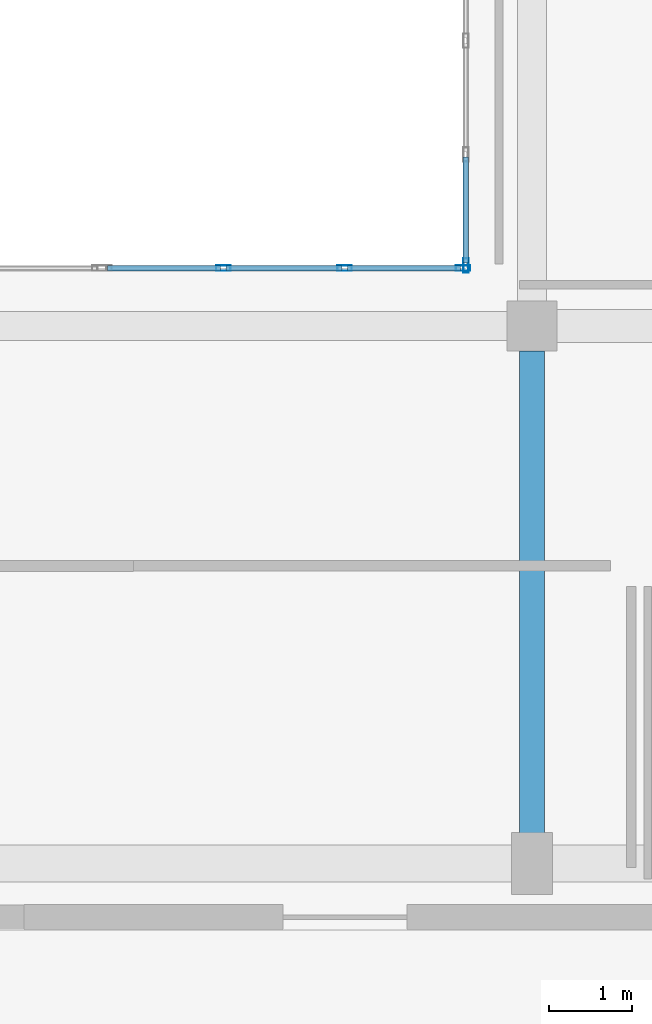
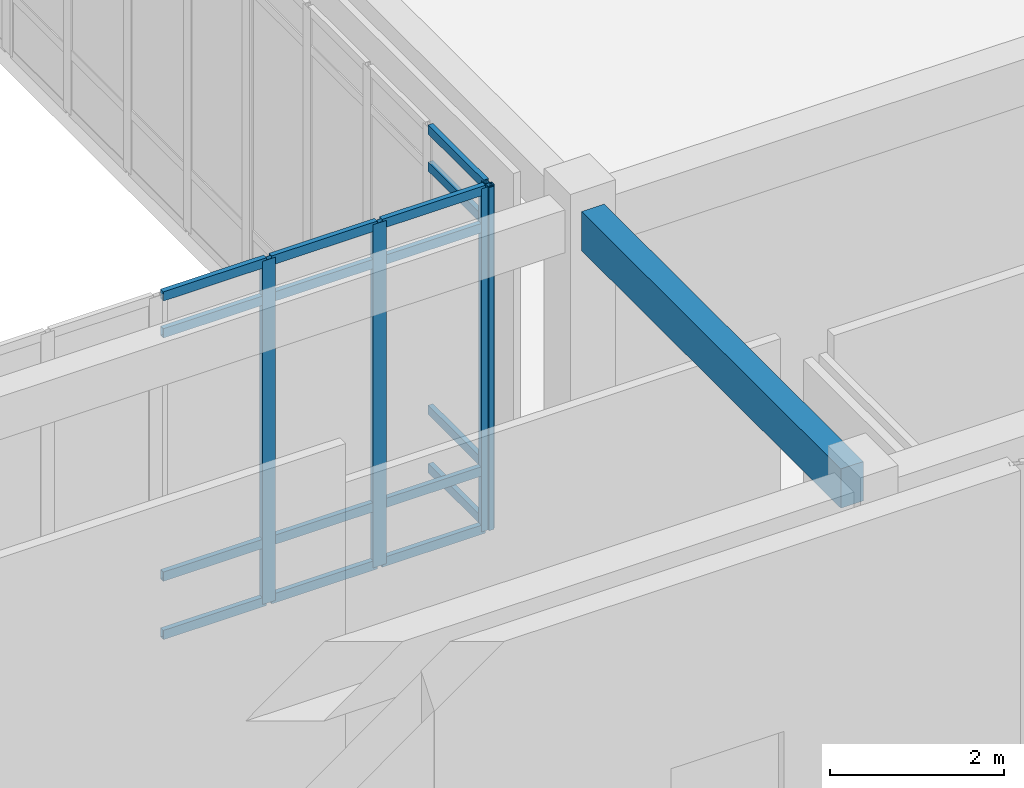
# One storey, part 51 of 121: 20 members, 1 beam, 2 elements without a shape of their own.
"""IFC4 building model written with IfcOpenShell, lengths in metres."""

import ifcopenshell
import ifcopenshell.guid

model = None  # the IFC model being written
_history = None  # IfcOwnerHistory: only IFC2X3 demands one
_inside = {}  # id of a spatial element -> (the spatial element, [elements in it])
_under = {}  # id of a project, library or spatial element -> (it, [spatial elements below it])
_declared = {}  # id of a project -> (the project, [libraries it declares])
_typed = {}  # id of a type object -> (the type object, [elements of that type])
_made_of = {}  # id of a material, layer set ... -> (it, [elements and type objects made of it])


def new_model(schema):
    """Start an empty IFC model of exactly this schema.

    Asked for "IFC4X3", IfcOpenShell would pick the latest addendum, in which some entities
    have other attributes; the version numbers below select the first issue.
    IFC2X3 requires an IfcOwnerHistory on every rooted entity: one is made here for all.
    """
    global model, _history
    if schema == "IFC4X3":
        model = ifcopenshell.file(schema_version=(4, 3, 0, 0))
    else:
        model = ifcopenshell.file(schema=schema)
    _inside.clear()
    _under.clear()
    _declared.clear()
    _typed.clear()
    _made_of.clear()
    _history = None
    if model.schema == "IFC2X3":
        org = make("IfcOrganization", Name="unknown")
        user = make(
            "IfcPersonAndOrganization",
            ThePerson=make("IfcPerson", FamilyName="unknown"),
            TheOrganization=org,
        )
        app = make(
            "IfcApplication",
            ApplicationDeveloper=org,
            Version="unknown",
            ApplicationFullName="unknown",
            ApplicationIdentifier="unknown",
        )
        _history = make(
            "IfcOwnerHistory",
            OwningUser=user,
            OwningApplication=app,
            ChangeAction="ADDED",
            CreationDate=0,
        )
    return model


def make(cls, **values):
    """One entity of the class cls with the attributes given. An attribute that is None is left unset."""
    return model.create_entity(
        cls, **{name: value for name, value in values.items() if value is not None}
    )


def rooted(cls, **values):
    """An entity with a GlobalId (a new one), such as an element, a storey or a relation."""
    return make(cls, GlobalId=ifcopenshell.guid.new(), OwnerHistory=_history, **values)


def si_unit(unit_type, name, prefix=None):
    """IfcSIUnit, for example si_unit("LENGTHUNIT", "METRE", prefix="MILLI")."""
    return make("IfcSIUnit", UnitType=unit_type, Prefix=prefix, Name=name)


def assignment(units):
    """IfcUnitAssignment: the units of a project."""
    return None if units is None else make("IfcUnitAssignment", Units=units)


def point(xyz):
    """IfcCartesianPoint."""
    return None if xyz is None else make("IfcCartesianPoint", Coordinates=xyz)


def direction(xyz):
    """IfcDirection."""
    return None if xyz is None else make("IfcDirection", DirectionRatios=xyz)


def frame(location, z_axis=None, x_axis=None):
    """IfcAxis2Placement3D, a coordinate frame: its origin and axes. An axis left out is left unset."""
    return make(
        "IfcAxis2Placement3D",
        Location=point(location),
        Axis=direction(z_axis),
        RefDirection=direction(x_axis),
    )


def frame_2d(location, x_axis=None):
    """IfcAxis2Placement2D, a coordinate frame in the plane: its origin and x axis."""
    return make(
        "IfcAxis2Placement2D", Location=point(location), RefDirection=direction(x_axis)
    )


def origin():
    """The frame at (0, 0, 0) with its axes left unset."""
    return frame((0.0, 0.0, 0.0))


def origin_2d():
    """The frame at (0, 0) in the plane with its x axis left unset."""
    return frame_2d((0.0, 0.0))


def place(relative_to, where):
    """IfcLocalPlacement: puts the frame where relative to a parent placement (None: the world)."""
    return make(
        "IfcLocalPlacement", PlacementRelTo=relative_to, RelativePlacement=where
    )


def context(
    kind, dimensions, precision=None, world=None, true_north=None, identifier=None
):
    """IfcGeometricRepresentationContext, for example the 3D "Model" context."""
    return make(
        "IfcGeometricRepresentationContext",
        ContextIdentifier=identifier,
        ContextType=kind,
        CoordinateSpaceDimension=dimensions,
        Precision=precision,
        WorldCoordinateSystem=world,
        TrueNorth=true_north,
    )


def subcontext(parent, identifier, kind, view, scale=None):
    """IfcGeometricRepresentationSubContext, for example "Body" below "Model"."""
    return make(
        "IfcGeometricRepresentationSubContext",
        ContextIdentifier=identifier,
        ContextType=kind,
        ParentContext=parent,
        TargetScale=scale,
        TargetView=view,
    )


def project(units=None, contexts=None):
    """IfcProject with its units and contexts."""
    return rooted(
        "IfcProject",
        Name="project",
        RepresentationContexts=contexts,
        UnitsInContext=assignment(units),
    )


def spatial(cls, under=None, at=None, **own):
    """A site, building, storey or space (cls), placed at a placement, below another one or the project."""
    s = rooted(cls, ObjectPlacement=at, **own)
    if under is not None:
        _under.setdefault(under.id(), (under, []))[1].append(s)
    return s


def profile(cls, at=None, kind="AREA", **sizes):
    """A parametric profile (cls). Its sizes go by their IFC names, for example OverallWidth=200.0."""
    return make(cls, ProfileType=kind, Position=at, **sizes)


def rectangle(**sizes):
    """IfcRectangleProfileDef."""
    return profile("IfcRectangleProfileDef", **sizes)


def hollow_rectangle(**sizes):
    """IfcRectangleHollowProfileDef."""
    return profile("IfcRectangleHollowProfileDef", **sizes)


def extrude(swept, where, along, depth):
    """IfcExtrudedAreaSolid: the profile swept, set in the frame where, extruded along a direction by depth."""
    return make(
        "IfcExtrudedAreaSolid",
        SweptArea=swept,
        Position=where,
        ExtrudedDirection=direction(along),
        Depth=depth,
    )


def shape(context_of_items, identifier, shape_type, items):
    """IfcShapeRepresentation: the items that make up one representation, for example the "Body"."""
    return make(
        "IfcShapeRepresentation",
        ContextOfItems=context_of_items,
        RepresentationIdentifier=identifier,
        RepresentationType=shape_type,
        Items=items,
    )


def material(Name=None, Category=None):
    """IfcMaterial."""
    return make("IfcMaterial", Name=Name, Category=Category)


def layer(
    of_material, thickness, ventilated=None, Name=None, Category=None, Priority=None
):
    """IfcMaterialLayer: one layer of a wall or slab, of a material (None: an air gap)."""
    return make(
        "IfcMaterialLayer",
        Material=of_material,
        LayerThickness=thickness,
        IsVentilated=ventilated,
        Name=Name,
        Category=Category,
        Priority=Priority,
    )


def layer_set(layers, Name=None):
    """IfcMaterialLayerSet."""
    return make("IfcMaterialLayerSet", MaterialLayers=layers, LayerSetName=Name)


def material_profile(
    of_material, cross_section, Name=None, Category=None, Priority=None
):
    """IfcMaterialProfile: a cross section and its material."""
    return make(
        "IfcMaterialProfile",
        Name=Name,
        Material=of_material,
        Profile=cross_section,
        Priority=Priority,
        Category=Category,
    )


def profile_set(profiles, Name=None, composite=None):
    """IfcMaterialProfileSet."""
    return make(
        "IfcMaterialProfileSet",
        Name=Name,
        MaterialProfiles=profiles,
        CompositeProfile=composite,
    )


def made_of(thing, what):
    """Note that an element or type object is made of a material, layer set ...; save() writes the relation."""
    if what is not None:
        _made_of.setdefault(what.id(), (what, []))[1].append(thing)
    return thing


def type_object(cls, material=None, **own):
    """A type object (cls), such as IfcWallType, which elements share."""
    return made_of(rooted(cls, **own), material)


def element(
    cls,
    number,
    at=None,
    inside=None,
    cuts=None,
    type_object=None,
    material=None,
    context=None,
    identifier="Body",
    shape_type=None,
    held_by="IfcProductDefinitionShape",
    body=None,
    shapes=None,
    **own,
):
    """One element of the class cls, such as IfcWall. Its Tag is "e" and its number.

    at: its placement. inside: the storey or other place that contains it. cuts: it is an
    opening in that element (IfcRelVoidsElement). A single representation is given by context,
    identifier, shape_type and body (its items); several are given by shapes. held_by: the class
    of the entity that holds the representations. save() writes the other relations.
    """
    e = rooted(cls, Tag="e%d" % number, ObjectPlacement=at, **own)
    if body is not None:
        shapes = [shape(context, identifier, shape_type, body)]
    if shapes is not None:
        e.Representation = make(held_by, Representations=shapes)
    if inside is not None:
        _inside.setdefault(inside.id(), (inside, []))[1].append(e)
    if cuts is not None:
        rooted(
            "IfcRelVoidsElement", RelatingBuildingElement=cuts, RelatedOpeningElement=e
        )
    if type_object is not None:
        _typed.setdefault(type_object.id(), (type_object, []))[1].append(e)
    return made_of(e, material)


def aggregate(whole, parts):
    """IfcRelAggregates: a whole, such as a stair, and the parts it consists of."""
    return rooted("IfcRelAggregates", RelatingObject=whole, RelatedObjects=parts)


def save(model, path):
    """Write the relations noted so far, then the file.

    IfcRelAggregates (storeys below a building ...), IfcRelContainedInSpatialStructure (elements
    in a storey), IfcRelDefinesByType, IfcRelAssociatesMaterial and IfcRelDeclares: one each for
    every whole, place, type object, material and project.
    """
    for whole, parts in _under.values():
        aggregate(whole, parts)
    for where, things in _inside.values():
        rooted(
            "IfcRelContainedInSpatialStructure",
            RelatedElements=things,
            RelatingStructure=where,
        )
    for kind, things in _typed.values():
        rooted("IfcRelDefinesByType", RelatedObjects=things, RelatingType=kind)
    for what, things in _made_of.values():
        rooted("IfcRelAssociatesMaterial", RelatedObjects=things, RelatingMaterial=what)
    for by, libraries in _declared.values():
        rooted("IfcRelDeclares", RelatingContext=by, RelatedDefinitions=libraries)
    model.write(path)


model = new_model("IFC4")

# Units and contexts
model_context = context("Model", 3, precision=1e-05, world=origin(), true_north=direction((0.0, 1.0)))
body_context = subcontext(model_context, "Body", "Model", "MODEL_VIEW")
ifc_project = project(units=[si_unit("LENGTHUNIT", "METRE"), si_unit("AREAUNIT", "SQUARE_METRE"), si_unit("VOLUMEUNIT", "CUBIC_METRE"), si_unit("PLANEANGLEUNIT", "RADIAN"), si_unit("MASSUNIT", "GRAM", prefix="KILO")], contexts=[model_context])

# Site, building, storey
site_placement = place(None, origin())
site = spatial("IfcSite", under=ifc_project, at=site_placement, CompositionType="ELEMENT")
building_placement = place(site_placement, origin())
building = spatial("IfcBuilding", under=site, at=building_placement, Name="Valcora Specialist Clinic", CompositionType="ELEMENT")
storey_placement = place(building_placement, origin())
storey = spatial("IfcBuildingStorey", under=building, at=storey_placement, Name="L00", CompositionType="ELEMENT", Elevation=0.0)

# Beam
ifc_material_1 = material(Name="Concrete C40/50", Category="concrete")
ifc_material_profile_1 = material_profile(ifc_material_1, rectangle(XDim=0.300048828125, YDim=0.550048828125, at=origin_2d()), Name="RC-BM-300X550")
ifc_profile_set_1 = profile_set([ifc_material_profile_1], Name="Concrete C40/50")
beam_type = type_object("IfcBeamType", Name="TY-BM-RC300X550", PredefinedType="BEAM", material=ifc_profile_set_1)
beam_placement = place(storey_placement, frame((90.800048828125, 75.050048828125, 4.534912109375), z_axis=(0.0, 1.0, 0.0), x_axis=(-1.0, 0.0, 0.0)))
element("IfcBeam", 1, at=beam_placement, inside=storey, type_object=beam_type, Name="Beam BM-L00-0587", PredefinedType="BEAM", context=body_context, shape_type="SweptSolid", body=[
    extrude(rectangle(XDim=0.300048828125, YDim=0.550048828125, at=origin_2d()), origin(), (0.0, 0.0, 1.0), 5.949951171875),
])

# Curtain wall, members
ifc_material_2 = material(Name="Anodized Bronze Aluminium 6063-T6", Category="aluminium")
ifc_layer = layer(ifc_material_2, 0.175048828125)
ifc_layer_set = layer_set([ifc_layer], Name="Anodized Bronze Aluminium 6063-T6")
curtain_wall_type = type_object("IfcCurtainWallType", Name="TY-CW-CRT15", PredefinedType="NOTDEFINED", material=ifc_layer_set)
curtain_wall_1_placement = place(storey_placement, origin())
curtain_wall_1 = element("IfcCurtainWall", 2, at=curtain_wall_1_placement, inside=storey, type_object=curtain_wall_type, Name="Curtain wall CW-L00-031", PredefinedType="NOTDEFINED")
ifc_material_profile_2 = material_profile(ifc_material_2, hollow_rectangle(XDim=0.06494140625, YDim=0.175048828125, WallThickness=0.00390625, at=origin_2d()), Name="AL-MUL-65X175")
ifc_profile_set_2 = profile_set([ifc_material_profile_2], Name="Anodized Bronze Aluminium 6063-T6")
member_type_1 = type_object("IfcMemberType", Name="TY-CWM-65X175", PredefinedType="MULLION", material=ifc_profile_set_2)
member_1_placement = place(storey_placement, frame((87.066650390625, 82.0, 0.0), z_axis=(0.0, 0.0, 1.0), x_axis=(0.0, 1.0, 0.0)))
member_1 = element("IfcMember", 3, at=member_1_placement, type_object=member_type_1, Name="CW-CRT-15 mullion 2", PredefinedType="MULLION", context=body_context, shape_type="SweptSolid", body=[
    extrude(hollow_rectangle(XDim=0.06494140625, YDim=0.175048828125, WallThickness=0.00390625, at=origin_2d()), origin(), (0.0, 0.0, 1.0), 4.81005859375),
])
member_2_placement = place(storey_placement, frame((88.533447265625, 82.0, 0.0), z_axis=(0.0, 0.0, 1.0), x_axis=(0.0, 1.0, 0.0)))
member_2 = element("IfcMember", 4, at=member_2_placement, type_object=member_type_1, Name="CW-CRT-15 mullion 3", PredefinedType="MULLION", context=body_context, shape_type="SweptSolid", body=[
    extrude(hollow_rectangle(XDim=0.06494140625, YDim=0.175048828125, WallThickness=0.00390625, at=origin_2d()), origin(), (0.0, 0.0, 1.0), 4.81005859375),
])
member_3_placement = place(storey_placement, frame((89.967529296875, 82.0, 0.0), z_axis=(0.0, 0.0, 1.0), x_axis=(0.0, 1.0, 0.0)))
member_3 = element("IfcMember", 5, at=member_3_placement, type_object=member_type_1, Name="CW-CRT-15 mullion 4", PredefinedType="MULLION", context=body_context, shape_type="SweptSolid", body=[
    extrude(hollow_rectangle(XDim=0.06494140625, YDim=0.175048828125, WallThickness=0.00390625, at=origin_2d()), origin(), (0.0, 0.0, 1.0), 4.81005859375),
])

# Curtain wall, member
curtain_wall_2_placement = place(storey_placement, origin())
curtain_wall_2 = element("IfcCurtainWall", 6, at=curtain_wall_2_placement, inside=storey, type_object=curtain_wall_type, Name="Curtain wall CW-L00-032", PredefinedType="NOTDEFINED")
member_4_placement = place(storey_placement, frame((90.0, 82.032470703125, 0.0), z_axis=(0.0, 0.0, 1.0), x_axis=(-1.0, 0.0, 0.0)))
member_4 = element("IfcMember", 7, at=member_4_placement, type_object=member_type_1, Name="CW-CRT-15 mullion 1", PredefinedType="MULLION", context=body_context, shape_type="SweptSolid", body=[
    extrude(hollow_rectangle(XDim=0.06494140625, YDim=0.175048828125, WallThickness=0.00390625, at=origin_2d()), origin(), (0.0, 0.0, 1.0), 4.81005859375),
])

# Member
ifc_material_profile_3 = material_profile(ifc_material_2, hollow_rectangle(XDim=0.06494140625, YDim=0.1298828125, WallThickness=0.00390625, at=origin_2d()), Name="AL-TRN-65X130")
ifc_profile_set_3 = profile_set([ifc_material_profile_3], Name="Anodized Bronze Aluminium 6063-T6")
member_type_2 = type_object("IfcMemberType", Name="TY-CWT-65X130", PredefinedType="USERDEFINED", material=ifc_profile_set_3)
member_5_placement = place(storey_placement, frame((85.6650390625, 82.0, 0.032470703125), z_axis=(1.0, 0.0, 0.0), x_axis=(0.0, 1.0, 0.0)))
member_5 = element("IfcMember", 8, at=member_5_placement, type_object=member_type_2, Name="CW-CRT-15 transom 1.1", ObjectType="TRANSOM", PredefinedType="USERDEFINED", context=body_context, shape_type="SweptSolid", body=[
    extrude(hollow_rectangle(XDim=0.06494140625, YDim=0.1298828125, WallThickness=0.00390625, at=origin_2d()), origin(), (0.0, 0.0, 1.0), 1.369140625),
])

member_6_placement = place(storey_placement, frame((85.6650390625, 82.0, 0.85009765625), z_axis=(1.0, 0.0, 0.0), x_axis=(0.0, 1.0, 0.0)))
member_6 = element("IfcMember", 9, at=member_6_placement, type_object=member_type_2, Name="CW-CRT-15 transom 1.2", ObjectType="TRANSOM", PredefinedType="USERDEFINED", context=body_context, shape_type="SweptSolid", body=[
    extrude(hollow_rectangle(XDim=0.06494140625, YDim=0.1298828125, WallThickness=0.00390625, at=origin_2d()), origin(), (0.0, 0.0, 1.0), 1.369140625),
])

member_7_placement = place(storey_placement, frame((85.6650390625, 82.0, 4.260009765625), z_axis=(1.0, 0.0, 0.0), x_axis=(0.0, 1.0, 0.0)))
member_7 = element("IfcMember", 10, at=member_7_placement, type_object=member_type_2, Name="CW-CRT-15 transom 1.3", ObjectType="TRANSOM", PredefinedType="USERDEFINED", context=body_context, shape_type="SweptSolid", body=[
    extrude(hollow_rectangle(XDim=0.06494140625, YDim=0.1298828125, WallThickness=0.00390625, at=origin_2d()), origin(), (0.0, 0.0, 1.0), 1.369140625),
])

member_8_placement = place(storey_placement, frame((85.6650390625, 82.0, 4.777587890625), z_axis=(1.0, 0.0, 0.0), x_axis=(0.0, 1.0, 0.0)))
member_8 = element("IfcMember", 11, at=member_8_placement, type_object=member_type_2, Name="CW-CRT-15 transom 1.4", ObjectType="TRANSOM", PredefinedType="USERDEFINED", context=body_context, shape_type="SweptSolid", body=[
    extrude(hollow_rectangle(XDim=0.06494140625, YDim=0.1298828125, WallThickness=0.00390625, at=origin_2d()), origin(), (0.0, 0.0, 1.0), 1.369140625),
])

member_9_placement = place(storey_placement, frame((87.09912109375, 82.0, 0.032470703125), z_axis=(1.0, 0.0, 0.0), x_axis=(0.0, 1.0, 0.0)))
member_9 = element("IfcMember", 12, at=member_9_placement, type_object=member_type_2, Name="CW-CRT-15 transom 2.1", ObjectType="TRANSOM", PredefinedType="USERDEFINED", context=body_context, shape_type="SweptSolid", body=[
    extrude(hollow_rectangle(XDim=0.06494140625, YDim=0.1298828125, WallThickness=0.00390625, at=origin_2d()), origin(), (0.0, 0.0, 1.0), 1.401611328125),
])

member_10_placement = place(storey_placement, frame((87.09912109375, 82.0, 0.85009765625), z_axis=(1.0, 0.0, 0.0), x_axis=(0.0, 1.0, 0.0)))
member_10 = element("IfcMember", 13, at=member_10_placement, type_object=member_type_2, Name="CW-CRT-15 transom 2.2", ObjectType="TRANSOM", PredefinedType="USERDEFINED", context=body_context, shape_type="SweptSolid", body=[
    extrude(hollow_rectangle(XDim=0.06494140625, YDim=0.1298828125, WallThickness=0.00390625, at=origin_2d()), origin(), (0.0, 0.0, 1.0), 1.401611328125),
])

member_11_placement = place(storey_placement, frame((87.09912109375, 82.0, 4.260009765625), z_axis=(1.0, 0.0, 0.0), x_axis=(0.0, 1.0, 0.0)))
member_11 = element("IfcMember", 14, at=member_11_placement, type_object=member_type_2, Name="CW-CRT-15 transom 2.3", ObjectType="TRANSOM", PredefinedType="USERDEFINED", context=body_context, shape_type="SweptSolid", body=[
    extrude(hollow_rectangle(XDim=0.06494140625, YDim=0.1298828125, WallThickness=0.00390625, at=origin_2d()), origin(), (0.0, 0.0, 1.0), 1.401611328125),
])

member_12_placement = place(storey_placement, frame((87.09912109375, 82.0, 4.777587890625), z_axis=(1.0, 0.0, 0.0), x_axis=(0.0, 1.0, 0.0)))
member_12 = element("IfcMember", 15, at=member_12_placement, type_object=member_type_2, Name="CW-CRT-15 transom 2.4", ObjectType="TRANSOM", PredefinedType="USERDEFINED", context=body_context, shape_type="SweptSolid", body=[
    extrude(hollow_rectangle(XDim=0.06494140625, YDim=0.1298828125, WallThickness=0.00390625, at=origin_2d()), origin(), (0.0, 0.0, 1.0), 1.401611328125),
])

member_13_placement = place(storey_placement, frame((88.56591796875, 82.0, 0.032470703125), z_axis=(1.0, 0.0, 0.0), x_axis=(0.0, 1.0, 0.0)))
member_13 = element("IfcMember", 16, at=member_13_placement, type_object=member_type_2, Name="CW-CRT-15 transom 3.1", ObjectType="TRANSOM", PredefinedType="USERDEFINED", context=body_context, shape_type="SweptSolid", body=[
    extrude(hollow_rectangle(XDim=0.06494140625, YDim=0.1298828125, WallThickness=0.00390625, at=origin_2d()), origin(), (0.0, 0.0, 1.0), 1.369140625),
])

member_14_placement = place(storey_placement, frame((88.56591796875, 82.0, 0.85009765625), z_axis=(1.0, 0.0, 0.0), x_axis=(0.0, 1.0, 0.0)))
member_14 = element("IfcMember", 17, at=member_14_placement, type_object=member_type_2, Name="CW-CRT-15 transom 3.2", ObjectType="TRANSOM", PredefinedType="USERDEFINED", context=body_context, shape_type="SweptSolid", body=[
    extrude(hollow_rectangle(XDim=0.06494140625, YDim=0.1298828125, WallThickness=0.00390625, at=origin_2d()), origin(), (0.0, 0.0, 1.0), 1.369140625),
])

member_15_placement = place(storey_placement, frame((88.56591796875, 82.0, 4.260009765625), z_axis=(1.0, 0.0, 0.0), x_axis=(0.0, 1.0, 0.0)))
member_15 = element("IfcMember", 18, at=member_15_placement, type_object=member_type_2, Name="CW-CRT-15 transom 3.3", ObjectType="TRANSOM", PredefinedType="USERDEFINED", context=body_context, shape_type="SweptSolid", body=[
    extrude(hollow_rectangle(XDim=0.06494140625, YDim=0.1298828125, WallThickness=0.00390625, at=origin_2d()), origin(), (0.0, 0.0, 1.0), 1.369140625),
])

member_16_placement = place(storey_placement, frame((88.56591796875, 82.0, 4.777587890625), z_axis=(1.0, 0.0, 0.0), x_axis=(0.0, 1.0, 0.0)))
member_16 = element("IfcMember", 19, at=member_16_placement, type_object=member_type_2, Name="CW-CRT-15 transom 3.4", ObjectType="TRANSOM", PredefinedType="USERDEFINED", context=body_context, shape_type="SweptSolid", body=[
    extrude(hollow_rectangle(XDim=0.06494140625, YDim=0.1298828125, WallThickness=0.00390625, at=origin_2d()), origin(), (0.0, 0.0, 1.0), 1.369140625),
])

aggregate(curtain_wall_1, [member_1, member_2, member_3, member_5, member_6, member_7, member_8, member_9, member_10, member_11, member_12, member_13, member_14, member_15, member_16])

member_17_placement = place(storey_placement, frame((90.0, 82.06494140625, 0.032470703125), z_axis=(0.0, 1.0, 0.0), x_axis=(-1.0, 0.0, 0.0)))
member_17 = element("IfcMember", 20, at=member_17_placement, type_object=member_type_2, Name="CW-CRT-15 transom 1.1", ObjectType="TRANSOM", PredefinedType="USERDEFINED", context=body_context, shape_type="SweptSolid", body=[
    extrude(hollow_rectangle(XDim=0.06494140625, YDim=0.1298828125, WallThickness=0.00390625, at=origin_2d()), origin(), (0.0, 0.0, 1.0), 1.277587890625),
])

member_18_placement = place(storey_placement, frame((90.0, 82.06494140625, 0.85009765625), z_axis=(0.0, 1.0, 0.0), x_axis=(-1.0, 0.0, 0.0)))
member_18 = element("IfcMember", 21, at=member_18_placement, type_object=member_type_2, Name="CW-CRT-15 transom 1.2", ObjectType="TRANSOM", PredefinedType="USERDEFINED", context=body_context, shape_type="SweptSolid", body=[
    extrude(hollow_rectangle(XDim=0.06494140625, YDim=0.1298828125, WallThickness=0.00390625, at=origin_2d()), origin(), (0.0, 0.0, 1.0), 1.277587890625),
])

member_19_placement = place(storey_placement, frame((90.0, 82.06494140625, 4.260009765625), z_axis=(0.0, 1.0, 0.0), x_axis=(-1.0, 0.0, 0.0)))
member_19 = element("IfcMember", 22, at=member_19_placement, type_object=member_type_2, Name="CW-CRT-15 transom 1.3", ObjectType="TRANSOM", PredefinedType="USERDEFINED", context=body_context, shape_type="SweptSolid", body=[
    extrude(hollow_rectangle(XDim=0.06494140625, YDim=0.1298828125, WallThickness=0.00390625, at=origin_2d()), origin(), (0.0, 0.0, 1.0), 1.277587890625),
])

member_20_placement = place(storey_placement, frame((90.0, 82.06494140625, 4.777587890625), z_axis=(0.0, 1.0, 0.0), x_axis=(-1.0, 0.0, 0.0)))
member_20 = element("IfcMember", 23, at=member_20_placement, type_object=member_type_2, Name="CW-CRT-15 transom 1.4", ObjectType="TRANSOM", PredefinedType="USERDEFINED", context=body_context, shape_type="SweptSolid", body=[
    extrude(hollow_rectangle(XDim=0.06494140625, YDim=0.1298828125, WallThickness=0.00390625, at=origin_2d()), origin(), (0.0, 0.0, 1.0), 1.277587890625),
])

aggregate(curtain_wall_2, [member_4, member_17, member_18, member_19, member_20])

save(model, "model.ifc")
